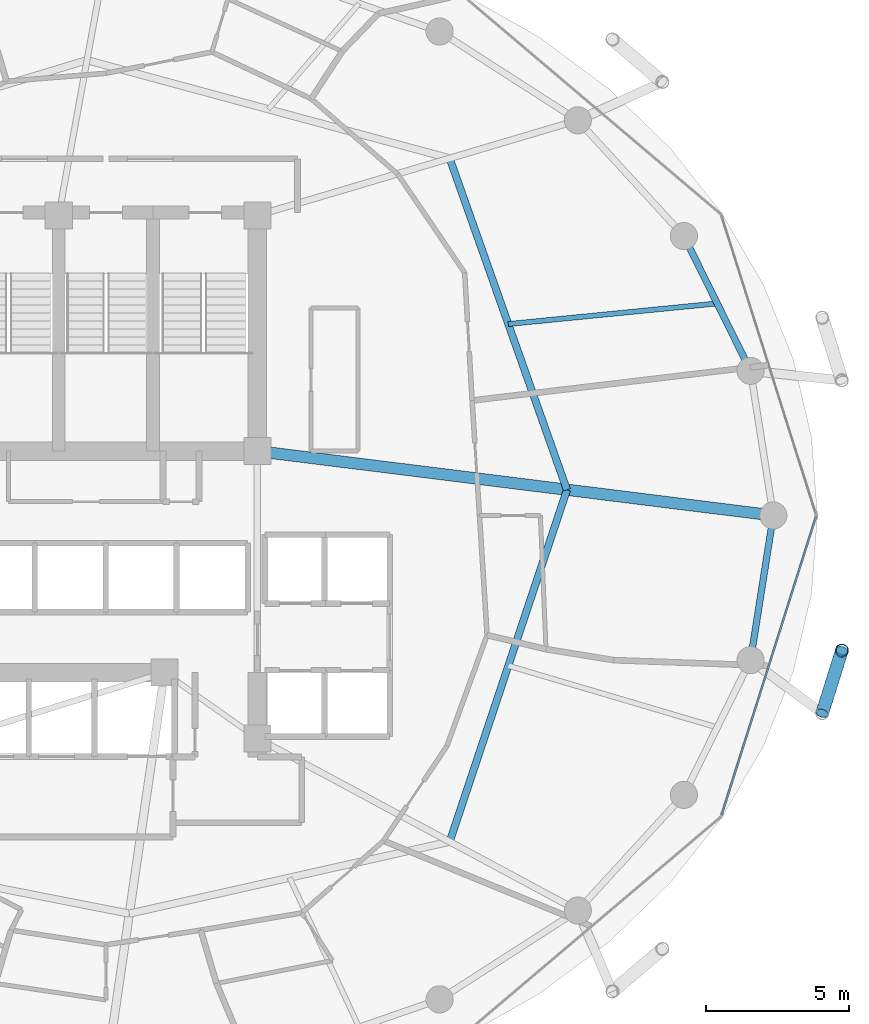
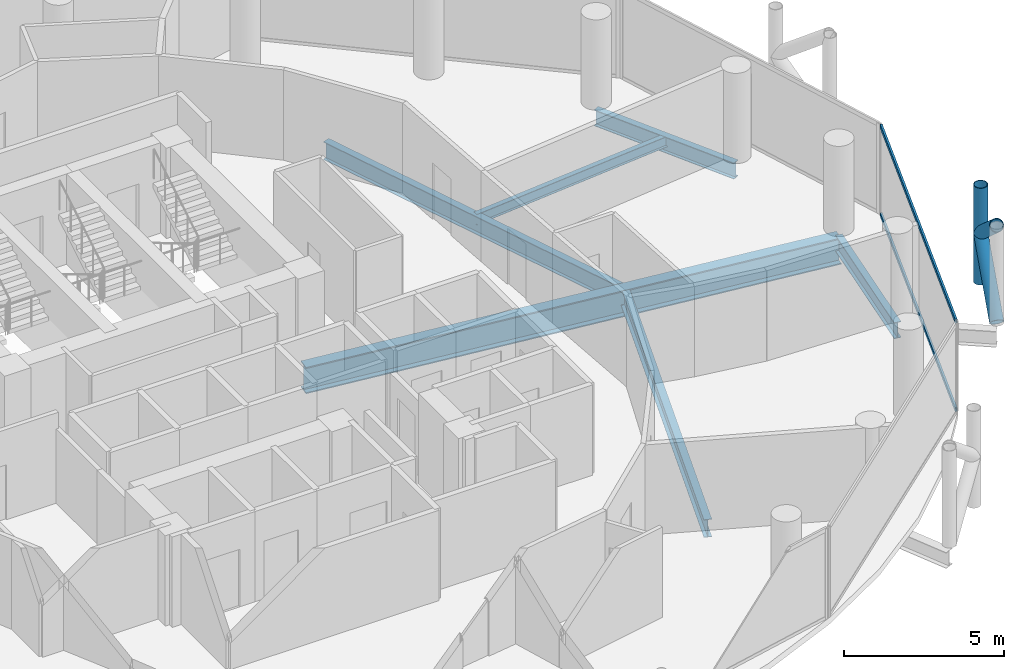
# One storey, part 11 of 26: 6 beams, 5 members, 1 element without a shape of its own.
"""IFC4 building model written with IfcOpenShell, lengths in metres."""

import ifcopenshell
import ifcopenshell.guid

model = None  # the IFC model being written
_history = None  # IfcOwnerHistory: only IFC2X3 demands one
_inside = {}  # id of a spatial element -> (the spatial element, [elements in it])
_under = {}  # id of a project, library or spatial element -> (it, [spatial elements below it])
_declared = {}  # id of a project -> (the project, [libraries it declares])
_typed = {}  # id of a type object -> (the type object, [elements of that type])
_made_of = {}  # id of a material, layer set ... -> (it, [elements and type objects made of it])


def new_model(schema):
    """Start an empty IFC model of exactly this schema.

    Asked for "IFC4X3", IfcOpenShell would pick the latest addendum, in which some entities
    have other attributes; the version numbers below select the first issue.
    IFC2X3 requires an IfcOwnerHistory on every rooted entity: one is made here for all.
    """
    global model, _history
    if schema == "IFC4X3":
        model = ifcopenshell.file(schema_version=(4, 3, 0, 0))
    else:
        model = ifcopenshell.file(schema=schema)
    _inside.clear()
    _under.clear()
    _declared.clear()
    _typed.clear()
    _made_of.clear()
    _history = None
    if model.schema == "IFC2X3":
        org = make("IfcOrganization", Name="unknown")
        user = make(
            "IfcPersonAndOrganization",
            ThePerson=make("IfcPerson", FamilyName="unknown"),
            TheOrganization=org,
        )
        app = make(
            "IfcApplication",
            ApplicationDeveloper=org,
            Version="unknown",
            ApplicationFullName="unknown",
            ApplicationIdentifier="unknown",
        )
        _history = make(
            "IfcOwnerHistory",
            OwningUser=user,
            OwningApplication=app,
            ChangeAction="ADDED",
            CreationDate=0,
        )
    return model


def make(cls, **values):
    """One entity of the class cls with the attributes given. An attribute that is None is left unset."""
    return model.create_entity(
        cls, **{name: value for name, value in values.items() if value is not None}
    )


def rooted(cls, **values):
    """An entity with a GlobalId (a new one), such as an element, a storey or a relation."""
    return make(cls, GlobalId=ifcopenshell.guid.new(), OwnerHistory=_history, **values)


def si_unit(unit_type, name, prefix=None):
    """IfcSIUnit, for example si_unit("LENGTHUNIT", "METRE", prefix="MILLI")."""
    return make("IfcSIUnit", UnitType=unit_type, Prefix=prefix, Name=name)


def assignment(units):
    """IfcUnitAssignment: the units of a project."""
    return None if units is None else make("IfcUnitAssignment", Units=units)


def point(xyz):
    """IfcCartesianPoint."""
    return None if xyz is None else make("IfcCartesianPoint", Coordinates=xyz)


def direction(xyz):
    """IfcDirection."""
    return None if xyz is None else make("IfcDirection", DirectionRatios=xyz)


def frame(location, z_axis=None, x_axis=None):
    """IfcAxis2Placement3D, a coordinate frame: its origin and axes. An axis left out is left unset."""
    return make(
        "IfcAxis2Placement3D",
        Location=point(location),
        Axis=direction(z_axis),
        RefDirection=direction(x_axis),
    )


def frame_2d(location, x_axis=None):
    """IfcAxis2Placement2D, a coordinate frame in the plane: its origin and x axis."""
    return make(
        "IfcAxis2Placement2D", Location=point(location), RefDirection=direction(x_axis)
    )


def origin():
    """The frame at (0, 0, 0) with its axes left unset."""
    return frame((0.0, 0.0, 0.0))


def origin_2d():
    """The frame at (0, 0) in the plane with its x axis left unset."""
    return frame_2d((0.0, 0.0))


def place(relative_to, where):
    """IfcLocalPlacement: puts the frame where relative to a parent placement (None: the world)."""
    return make(
        "IfcLocalPlacement", PlacementRelTo=relative_to, RelativePlacement=where
    )


def context(
    kind, dimensions, precision=None, world=None, true_north=None, identifier=None
):
    """IfcGeometricRepresentationContext, for example the 3D "Model" context."""
    return make(
        "IfcGeometricRepresentationContext",
        ContextIdentifier=identifier,
        ContextType=kind,
        CoordinateSpaceDimension=dimensions,
        Precision=precision,
        WorldCoordinateSystem=world,
        TrueNorth=true_north,
    )


def subcontext(parent, identifier, kind, view, scale=None):
    """IfcGeometricRepresentationSubContext, for example "Body" below "Model"."""
    return make(
        "IfcGeometricRepresentationSubContext",
        ContextIdentifier=identifier,
        ContextType=kind,
        ParentContext=parent,
        TargetScale=scale,
        TargetView=view,
    )


def project(units=None, contexts=None):
    """IfcProject with its units and contexts."""
    return rooted(
        "IfcProject",
        Name="project",
        RepresentationContexts=contexts,
        UnitsInContext=assignment(units),
    )


def spatial(cls, under=None, at=None, **own):
    """A site, building, storey or space (cls), placed at a placement, below another one or the project."""
    s = rooted(cls, ObjectPlacement=at, **own)
    if under is not None:
        _under.setdefault(under.id(), (under, []))[1].append(s)
    return s


def profile(cls, at=None, kind="AREA", **sizes):
    """A parametric profile (cls). Its sizes go by their IFC names, for example OverallWidth=200.0."""
    return make(cls, ProfileType=kind, Position=at, **sizes)


def hollow_rectangle(**sizes):
    """IfcRectangleHollowProfileDef."""
    return profile("IfcRectangleHollowProfileDef", **sizes)


def hollow_circle(**sizes):
    """IfcCircleHollowProfileDef."""
    return profile("IfcCircleHollowProfileDef", **sizes)


def i_section(**sizes):
    """IfcIShapeProfileDef."""
    return profile("IfcIShapeProfileDef", **sizes)


def extrude(swept, where, along, depth):
    """IfcExtrudedAreaSolid: the profile swept, set in the frame where, extruded along a direction by depth."""
    return make(
        "IfcExtrudedAreaSolid",
        SweptArea=swept,
        Position=where,
        ExtrudedDirection=direction(along),
        Depth=depth,
    )


def shape(context_of_items, identifier, shape_type, items):
    """IfcShapeRepresentation: the items that make up one representation, for example the "Body"."""
    return make(
        "IfcShapeRepresentation",
        ContextOfItems=context_of_items,
        RepresentationIdentifier=identifier,
        RepresentationType=shape_type,
        Items=items,
    )


def material(Name=None, Category=None):
    """IfcMaterial."""
    return make("IfcMaterial", Name=Name, Category=Category)


def layer(
    of_material, thickness, ventilated=None, Name=None, Category=None, Priority=None
):
    """IfcMaterialLayer: one layer of a wall or slab, of a material (None: an air gap)."""
    return make(
        "IfcMaterialLayer",
        Material=of_material,
        LayerThickness=thickness,
        IsVentilated=ventilated,
        Name=Name,
        Category=Category,
        Priority=Priority,
    )


def layer_set(layers, Name=None):
    """IfcMaterialLayerSet."""
    return make("IfcMaterialLayerSet", MaterialLayers=layers, LayerSetName=Name)


def material_profile(
    of_material, cross_section, Name=None, Category=None, Priority=None
):
    """IfcMaterialProfile: a cross section and its material."""
    return make(
        "IfcMaterialProfile",
        Name=Name,
        Material=of_material,
        Profile=cross_section,
        Priority=Priority,
        Category=Category,
    )


def profile_set(profiles, Name=None, composite=None):
    """IfcMaterialProfileSet."""
    return make(
        "IfcMaterialProfileSet",
        Name=Name,
        MaterialProfiles=profiles,
        CompositeProfile=composite,
    )


def made_of(thing, what):
    """Note that an element or type object is made of a material, layer set ...; save() writes the relation."""
    if what is not None:
        _made_of.setdefault(what.id(), (what, []))[1].append(thing)
    return thing


def type_object(cls, material=None, **own):
    """A type object (cls), such as IfcWallType, which elements share."""
    return made_of(rooted(cls, **own), material)


def element(
    cls,
    number,
    at=None,
    inside=None,
    cuts=None,
    type_object=None,
    material=None,
    context=None,
    identifier="Body",
    shape_type=None,
    held_by="IfcProductDefinitionShape",
    body=None,
    shapes=None,
    **own,
):
    """One element of the class cls, such as IfcWall. Its Tag is "e" and its number.

    at: its placement. inside: the storey or other place that contains it. cuts: it is an
    opening in that element (IfcRelVoidsElement). A single representation is given by context,
    identifier, shape_type and body (its items); several are given by shapes. held_by: the class
    of the entity that holds the representations. save() writes the other relations.
    """
    e = rooted(cls, Tag="e%d" % number, ObjectPlacement=at, **own)
    if body is not None:
        shapes = [shape(context, identifier, shape_type, body)]
    if shapes is not None:
        e.Representation = make(held_by, Representations=shapes)
    if inside is not None:
        _inside.setdefault(inside.id(), (inside, []))[1].append(e)
    if cuts is not None:
        rooted(
            "IfcRelVoidsElement", RelatingBuildingElement=cuts, RelatedOpeningElement=e
        )
    if type_object is not None:
        _typed.setdefault(type_object.id(), (type_object, []))[1].append(e)
    return made_of(e, material)


def aggregate(whole, parts):
    """IfcRelAggregates: a whole, such as a stair, and the parts it consists of."""
    return rooted("IfcRelAggregates", RelatingObject=whole, RelatedObjects=parts)


def save(model, path):
    """Write the relations noted so far, then the file.

    IfcRelAggregates (storeys below a building ...), IfcRelContainedInSpatialStructure (elements
    in a storey), IfcRelDefinesByType, IfcRelAssociatesMaterial and IfcRelDeclares: one each for
    every whole, place, type object, material and project.
    """
    for whole, parts in _under.values():
        aggregate(whole, parts)
    for where, things in _inside.values():
        rooted(
            "IfcRelContainedInSpatialStructure",
            RelatedElements=things,
            RelatingStructure=where,
        )
    for kind, things in _typed.values():
        rooted("IfcRelDefinesByType", RelatedObjects=things, RelatingType=kind)
    for what, things in _made_of.values():
        rooted("IfcRelAssociatesMaterial", RelatedObjects=things, RelatingMaterial=what)
    for by, libraries in _declared.values():
        rooted("IfcRelDeclares", RelatingContext=by, RelatedDefinitions=libraries)
    model.write(path)


model = new_model("IFC4")

# Units and contexts
model_context = context("Model", 3, precision=1e-05, world=origin(), true_north=direction((0.0, 1.0)))
body_context = subcontext(model_context, "Body", "Model", "MODEL_VIEW")
ifc_project = project(units=[si_unit("LENGTHUNIT", "METRE"), si_unit("AREAUNIT", "SQUARE_METRE"), si_unit("VOLUMEUNIT", "CUBIC_METRE"), si_unit("PLANEANGLEUNIT", "RADIAN"), si_unit("MASSUNIT", "GRAM", prefix="KILO")], contexts=[model_context])

# Site, building, storey
site_placement = place(None, origin())
site = spatial("IfcSite", under=ifc_project, at=site_placement, CompositionType="ELEMENT")
building_placement = place(site_placement, origin())
building = spatial("IfcBuilding", under=site, at=building_placement, Name="Nuhasar Tower", CompositionType="ELEMENT")
storey_placement = place(building_placement, frame((0.0, 0.0, 121.949951171875)))
storey = spatial("IfcBuildingStorey", under=building, at=storey_placement, Name="L28", CompositionType="ELEMENT", Elevation=121.949951171875)

# Beams
ifc_material_1 = material(Name="Steel S355", Category="steel")
ifc_material_profile_1 = material_profile(ifc_material_1, i_section(OverallWidth=0.25390625, OverallDepth=0.68408203125, WebThickness=0.012451171875, FlangeThickness=0.018798828125, at=origin_2d()), Name="W27X94")
ifc_profile_set_1 = profile_set([ifc_material_profile_1], Name="Steel S355")
beam_type_1 = type_object("IfcBeamType", Name="BM-INRING-W27X94", PredefinedType="BEAM", material=ifc_profile_set_1)
beam_1_placement = place(storey_placement, frame((51.027099609375, 15.385986328125, -0.592041015625), z_axis=(0.31609797573, 0.948726551615, 0.0), x_axis=(-0.948726551615, 0.31609797573, 0.0)))
element("IfcBeam", 1, at=beam_1_placement, inside=storey, type_object=beam_type_1, Name="L28 Inner Header Beam 03", PredefinedType="BEAM", context=body_context, shape_type="SweptSolid", body=[
    extrude(i_section(OverallWidth=0.25390625, OverallDepth=0.68408203125, WebThickness=0.012451171875, FlangeThickness=0.018798828125, at=origin_2d()), origin(), (0.0, 0.0, 1.0), 12.9794921875),
])
beam_2_placement = place(storey_placement, frame((55.1298828125, 27.699951171875, -0.592041015625), z_axis=(-0.333599821096, 0.942714781556, 0.0), x_axis=(-0.942714781556, -0.333599821096, 0.0)))
element("IfcBeam", 2, at=beam_2_placement, inside=storey, type_object=beam_type_1, Name="L28 Inner Header Beam 04", PredefinedType="BEAM", context=body_context, shape_type="SweptSolid", body=[
    extrude(i_section(OverallWidth=0.25390625, OverallDepth=0.68408203125, WebThickness=0.012451171875, FlangeThickness=0.018798828125, at=origin_2d()), origin(), (0.0, 0.0, 1.0), 12.298583984375),
])
ifc_material_profile_2 = material_profile(ifc_material_1, i_section(OverallWidth=0.177978515625, OverallDepth=0.406005859375, WebThickness=0.0078125, FlangeThickness=0.0126953125, at=origin_2d()), Name="W16X40")
ifc_profile_set_2 = profile_set([ifc_material_profile_2], Name="Steel S355")
beam_type_2 = type_object("IfcBeamType", Name="BM-JST-W16X40", PredefinedType="JOIST", material=ifc_profile_set_2)
beam_3_placement = place(storey_placement, frame((53.0791015625, 33.4970703125, -0.452880859375), z_axis=(0.995170244515, 0.098164068947, 0.0), x_axis=(-0.098164068947, 0.995170244515, 0.0)))
element("IfcBeam", 3, at=beam_3_placement, inside=storey, type_object=beam_type_2, Name="L28 Secondary Floor Joist 04", PredefinedType="JOIST", context=body_context, shape_type="SweptSolid", body=[
    extrude(i_section(OverallWidth=0.177978515625, OverallDepth=0.406005859375, WebThickness=0.0078125, FlangeThickness=0.0126953125, at=origin_2d()), origin(), (0.0, 0.0, 1.0), 7.34423828125),
])
ifc_material_profile_3 = material_profile(ifc_material_1, i_section(OverallWidth=0.22998046875, OverallDepth=0.616943359375, WebThickness=0.01318359375, FlangeThickness=0.022216796875, at=origin_2d()), Name="W24X94")
ifc_profile_set_3 = profile_set([ifc_material_profile_3], Name="Steel S355")
beam_type_3 = type_object("IfcBeamType", Name="BM-RING-W24X94", PredefinedType="SPANDREL", material=ifc_profile_set_3)
beam_4_placement = place(storey_placement, frame((61.553955078125, 31.860107421875, -0.557861328125), z_axis=(-0.443347771709, 0.896349682501, 0.0), x_axis=(-0.896349682501, -0.443347771709, 0.0)))
element("IfcBeam", 4, at=beam_4_placement, inside=storey, type_object=beam_type_3, Name="L28 Perimeter Ring Spandrel 02", PredefinedType="SPANDREL", context=body_context, shape_type="SweptSolid", body=[
    extrude(i_section(OverallWidth=0.22998046875, OverallDepth=0.616943359375, WebThickness=0.01318359375, FlangeThickness=0.022216796875, at=origin_2d()), origin(), (0.0, 0.0, 1.0), 5.260009765625),
])
beam_5_placement = place(storey_placement, frame((61.553955078125, 21.739990234375, -0.557861328125), z_axis=(0.155426543608, 0.987847452566, 0.0), x_axis=(-0.987847452566, 0.155426543608, 0.0)))
element("IfcBeam", 5, at=beam_5_placement, inside=storey, type_object=beam_type_3, Name="L28 Perimeter Ring Spandrel 24", PredefinedType="SPANDREL", context=body_context, shape_type="SweptSolid", body=[
    extrude(i_section(OverallWidth=0.22998046875, OverallDepth=0.616943359375, WebThickness=0.01318359375, FlangeThickness=0.022216796875, at=origin_2d()), origin(), (0.0, 0.0, 1.0), 5.122314453125),
])
ifc_material_2 = material(Name="Steel S460", Category="steel")
ifc_material_profile_4 = material_profile(ifc_material_2, i_section(OverallWidth=0.40087890625, OverallDepth=1.010009765625, WebThickness=0.023681640625, FlangeThickness=0.0419921875, at=origin_2d()), Name="W40X297")
ifc_profile_set_4 = profile_set([ifc_material_profile_4], Name="Steel S460")
beam_type_4 = type_object("IfcBeamType", Name="BM-XFER-W40X297", PredefinedType="USERDEFINED", material=ifc_profile_set_4)
beam_6_placement = place(storey_placement, frame((44.300048828125, 29.050048828125, -0.7548828125), z_axis=(0.992320149485, -0.123696082908, 0.0), x_axis=(0.123696082908, 0.992320149485, 0.0)))
element("IfcBeam", 6, at=beam_6_placement, inside=storey, type_object=beam_type_4, Name="L28 Radial Floor Girder 04", ObjectType="GIRDER", PredefinedType="USERDEFINED", context=body_context, shape_type="SweptSolid", body=[
    extrude(i_section(OverallWidth=0.40087890625, OverallDepth=1.010009765625, WebThickness=0.023681640625, FlangeThickness=0.0419921875, at=origin_2d()), origin(), (0.0, 0.0, 1.0), 18.189697265625),
])

# Curtain wall, members
ifc_material_3 = material(Name="Aluminium 6063-T6", Category="aluminium")
ifc_layer = layer(ifc_material_3, 0.199951171875)
ifc_layer_set = layer_set([ifc_layer], Name="Aluminium 6063-T6")
curtain_wall_type = type_object("IfcCurtainWallType", Name="CW-Z2-HTL", PredefinedType="NOTDEFINED", material=ifc_layer_set)
curtain_wall_placement = place(storey_placement, origin())
curtain_wall = element("IfcCurtainWall", 7, at=curtain_wall_placement, inside=storey, type_object=curtain_wall_type, Name="L28 Unitised Curtain Wall 12", PredefinedType="NOTDEFINED")
ifc_material_profile_5 = material_profile(ifc_material_3, hollow_rectangle(XDim=0.070068359375, YDim=0.159912109375, WallThickness=0.00439453125, at=origin_2d()), Name="CWT-3")
ifc_profile_set_5 = profile_set([ifc_material_profile_5], Name="Aluminium 6063-T6")
member_type_1 = type_object("IfcMemberType", Name="CW-TRN-S3", PredefinedType="USERDEFINED", material=ifc_profile_set_5)
member_1_placement = place(storey_placement, frame((60.550048828125, 16.336669921875, 0.03515625), z_axis=(0.301608163352, 0.953431967053, 0.0), x_axis=(-0.953431967053, 0.301608163352, 0.0)))
member_1 = element("IfcMember", 8, at=member_1_placement, type_object=member_type_1, Name="CW-Z2 transom 1.1", ObjectType="TRANSOM", PredefinedType="USERDEFINED", context=body_context, shape_type="SweptSolid", body=[
    extrude(hollow_rectangle(XDim=0.070068359375, YDim=0.159912109375, WallThickness=0.00439453125, at=origin_2d()), origin(), (0.0, 0.0, 1.0), 10.904296875),
])
member_2_placement = place(storey_placement, frame((60.550048828125, 16.336669921875, 3.4150390625), z_axis=(0.301608163352, 0.953431967053, 0.0), x_axis=(-0.953431967053, 0.301608163352, 0.0)))
member_2 = element("IfcMember", 9, at=member_2_placement, type_object=member_type_1, Name="CW-Z2 transom 1.2", ObjectType="TRANSOM", PredefinedType="USERDEFINED", context=body_context, shape_type="SweptSolid", body=[
    extrude(hollow_rectangle(XDim=0.070068359375, YDim=0.159912109375, WallThickness=0.00439453125, at=origin_2d()), origin(), (0.0, 0.0, 1.0), 10.904296875),
])
aggregate(curtain_wall, [member_1, member_2])

# Members
ifc_material_profile_6 = material_profile(ifc_material_2, hollow_circle(Radius=0.228515625, WallThickness=0.022216796875, at=origin_2d()), Name="HSS457X22.2")
ifc_profile_set_6 = profile_set([ifc_material_profile_6], Name="Steel S460")
member_type_2 = type_object("IfcMemberType", Name="EXO-BRONZE-457", PredefinedType="BRACE", material=ifc_profile_set_6)
member_3_placement = place(storey_placement, frame((64.748046875, 22.073974609375, 0.0), z_axis=(0.0, 0.0, 1.0), x_axis=(1.0, 0.0, 0.0)))
element("IfcMember", 10, at=member_3_placement, inside=storey, type_object=member_type_2, Name="L28 Exoskeleton Chord Column EC-12B", PredefinedType="BRACE", context=body_context, shape_type="SweptSolid", body=[
    extrude(hollow_circle(Radius=0.228515625, WallThickness=0.022216796875, at=origin_2d()), origin(), (0.0, 0.0, 1.0), 3.699951171875),
])
member_4_placement = place(storey_placement, frame((64.06005859375, 19.87890625, 0.0), z_axis=(0.233055548538, 0.743577869731, 0.626719285599), x_axis=(-0.954228474306, 0.29907861646, 0.0)))
element("IfcMember", 11, at=member_4_placement, inside=storey, type_object=member_type_2, Name="L28 Bronze Diagrid Brace W1-12", PredefinedType="BRACE", context=body_context, shape_type="SweptSolid", body=[
    extrude(hollow_circle(Radius=0.228515625, WallThickness=0.022216796875, at=origin_2d()), origin(), (0.0, 0.0, 1.0), 2.9521484375),
])
member_5_placement = place(storey_placement, frame((64.748046875, 22.073974609375, 1.85009765625), z_axis=(-0.233067628236, -0.74361641074, 0.626669062861), x_axis=(0.954228474306, -0.29907861646, 0.0)))
element("IfcMember", 12, at=member_5_placement, inside=storey, type_object=member_type_2, Name="L28 Bronze Diagrid Brace W2-12", PredefinedType="BRACE", context=body_context, shape_type="SweptSolid", body=[
    extrude(hollow_circle(Radius=0.228515625, WallThickness=0.022216796875, at=origin_2d()), origin(), (0.0, 0.0, 1.0), 2.951904296875),
])

save(model, "model.ifc")
